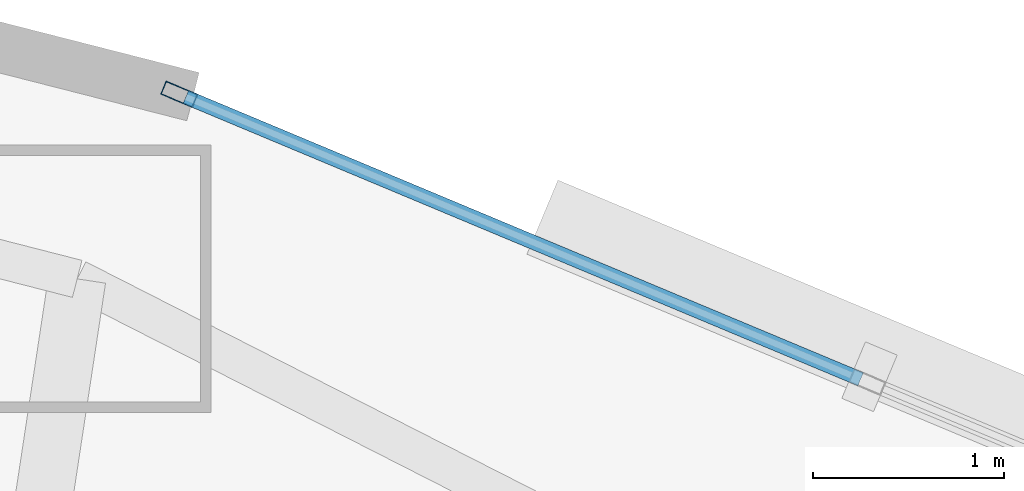
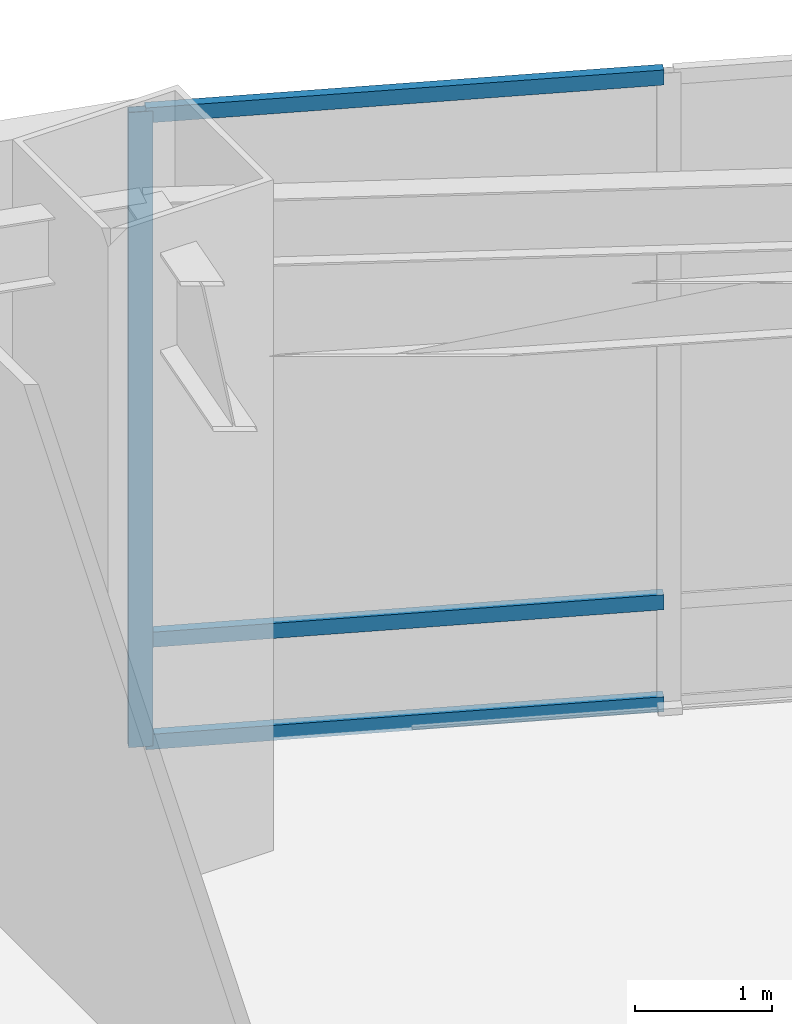
# One storey, part 12 of 19: 4 members, 1 element without a shape of its own.
"""IFC4 building model written with IfcOpenShell, lengths in metres."""

import ifcopenshell
import ifcopenshell.guid

model = None  # the IFC model being written
_history = None  # IfcOwnerHistory: only IFC2X3 demands one
_inside = {}  # id of a spatial element -> (the spatial element, [elements in it])
_under = {}  # id of a project, library or spatial element -> (it, [spatial elements below it])
_declared = {}  # id of a project -> (the project, [libraries it declares])
_typed = {}  # id of a type object -> (the type object, [elements of that type])
_made_of = {}  # id of a material, layer set ... -> (it, [elements and type objects made of it])


def new_model(schema):
    """Start an empty IFC model of exactly this schema.

    Asked for "IFC4X3", IfcOpenShell would pick the latest addendum, in which some entities
    have other attributes; the version numbers below select the first issue.
    IFC2X3 requires an IfcOwnerHistory on every rooted entity: one is made here for all.
    """
    global model, _history
    if schema == "IFC4X3":
        model = ifcopenshell.file(schema_version=(4, 3, 0, 0))
    else:
        model = ifcopenshell.file(schema=schema)
    _inside.clear()
    _under.clear()
    _declared.clear()
    _typed.clear()
    _made_of.clear()
    _history = None
    if model.schema == "IFC2X3":
        org = make("IfcOrganization", Name="unknown")
        user = make(
            "IfcPersonAndOrganization",
            ThePerson=make("IfcPerson", FamilyName="unknown"),
            TheOrganization=org,
        )
        app = make(
            "IfcApplication",
            ApplicationDeveloper=org,
            Version="unknown",
            ApplicationFullName="unknown",
            ApplicationIdentifier="unknown",
        )
        _history = make(
            "IfcOwnerHistory",
            OwningUser=user,
            OwningApplication=app,
            ChangeAction="ADDED",
            CreationDate=0,
        )
    return model


def make(cls, **values):
    """One entity of the class cls with the attributes given. An attribute that is None is left unset."""
    return model.create_entity(
        cls, **{name: value for name, value in values.items() if value is not None}
    )


def rooted(cls, **values):
    """An entity with a GlobalId (a new one), such as an element, a storey or a relation."""
    return make(cls, GlobalId=ifcopenshell.guid.new(), OwnerHistory=_history, **values)


def si_unit(unit_type, name, prefix=None):
    """IfcSIUnit, for example si_unit("LENGTHUNIT", "METRE", prefix="MILLI")."""
    return make("IfcSIUnit", UnitType=unit_type, Prefix=prefix, Name=name)


def assignment(units):
    """IfcUnitAssignment: the units of a project."""
    return None if units is None else make("IfcUnitAssignment", Units=units)


def point(xyz):
    """IfcCartesianPoint."""
    return None if xyz is None else make("IfcCartesianPoint", Coordinates=xyz)


def direction(xyz):
    """IfcDirection."""
    return None if xyz is None else make("IfcDirection", DirectionRatios=xyz)


def frame(location, z_axis=None, x_axis=None):
    """IfcAxis2Placement3D, a coordinate frame: its origin and axes. An axis left out is left unset."""
    return make(
        "IfcAxis2Placement3D",
        Location=point(location),
        Axis=direction(z_axis),
        RefDirection=direction(x_axis),
    )


def frame_2d(location, x_axis=None):
    """IfcAxis2Placement2D, a coordinate frame in the plane: its origin and x axis."""
    return make(
        "IfcAxis2Placement2D", Location=point(location), RefDirection=direction(x_axis)
    )


def origin():
    """The frame at (0, 0, 0) with its axes left unset."""
    return frame((0.0, 0.0, 0.0))


def origin_2d():
    """The frame at (0, 0) in the plane with its x axis left unset."""
    return frame_2d((0.0, 0.0))


def place(relative_to, where):
    """IfcLocalPlacement: puts the frame where relative to a parent placement (None: the world)."""
    return make(
        "IfcLocalPlacement", PlacementRelTo=relative_to, RelativePlacement=where
    )


def context(
    kind, dimensions, precision=None, world=None, true_north=None, identifier=None
):
    """IfcGeometricRepresentationContext, for example the 3D "Model" context."""
    return make(
        "IfcGeometricRepresentationContext",
        ContextIdentifier=identifier,
        ContextType=kind,
        CoordinateSpaceDimension=dimensions,
        Precision=precision,
        WorldCoordinateSystem=world,
        TrueNorth=true_north,
    )


def subcontext(parent, identifier, kind, view, scale=None):
    """IfcGeometricRepresentationSubContext, for example "Body" below "Model"."""
    return make(
        "IfcGeometricRepresentationSubContext",
        ContextIdentifier=identifier,
        ContextType=kind,
        ParentContext=parent,
        TargetScale=scale,
        TargetView=view,
    )


def project(units=None, contexts=None):
    """IfcProject with its units and contexts."""
    return rooted(
        "IfcProject",
        Name="project",
        RepresentationContexts=contexts,
        UnitsInContext=assignment(units),
    )


def spatial(cls, under=None, at=None, **own):
    """A site, building, storey or space (cls), placed at a placement, below another one or the project."""
    s = rooted(cls, ObjectPlacement=at, **own)
    if under is not None:
        _under.setdefault(under.id(), (under, []))[1].append(s)
    return s


def profile(cls, at=None, kind="AREA", **sizes):
    """A parametric profile (cls). Its sizes go by their IFC names, for example OverallWidth=200.0."""
    return make(cls, ProfileType=kind, Position=at, **sizes)


def hollow_rectangle(**sizes):
    """IfcRectangleHollowProfileDef."""
    return profile("IfcRectangleHollowProfileDef", **sizes)


def extrude(swept, where, along, depth):
    """IfcExtrudedAreaSolid: the profile swept, set in the frame where, extruded along a direction by depth."""
    return make(
        "IfcExtrudedAreaSolid",
        SweptArea=swept,
        Position=where,
        ExtrudedDirection=direction(along),
        Depth=depth,
    )


def shape(context_of_items, identifier, shape_type, items):
    """IfcShapeRepresentation: the items that make up one representation, for example the "Body"."""
    return make(
        "IfcShapeRepresentation",
        ContextOfItems=context_of_items,
        RepresentationIdentifier=identifier,
        RepresentationType=shape_type,
        Items=items,
    )


def material(Name=None, Category=None):
    """IfcMaterial."""
    return make("IfcMaterial", Name=Name, Category=Category)


def layer(
    of_material, thickness, ventilated=None, Name=None, Category=None, Priority=None
):
    """IfcMaterialLayer: one layer of a wall or slab, of a material (None: an air gap)."""
    return make(
        "IfcMaterialLayer",
        Material=of_material,
        LayerThickness=thickness,
        IsVentilated=ventilated,
        Name=Name,
        Category=Category,
        Priority=Priority,
    )


def layer_set(layers, Name=None):
    """IfcMaterialLayerSet."""
    return make("IfcMaterialLayerSet", MaterialLayers=layers, LayerSetName=Name)


def material_profile(
    of_material, cross_section, Name=None, Category=None, Priority=None
):
    """IfcMaterialProfile: a cross section and its material."""
    return make(
        "IfcMaterialProfile",
        Name=Name,
        Material=of_material,
        Profile=cross_section,
        Priority=Priority,
        Category=Category,
    )


def profile_set(profiles, Name=None, composite=None):
    """IfcMaterialProfileSet."""
    return make(
        "IfcMaterialProfileSet",
        Name=Name,
        MaterialProfiles=profiles,
        CompositeProfile=composite,
    )


def made_of(thing, what):
    """Note that an element or type object is made of a material, layer set ...; save() writes the relation."""
    if what is not None:
        _made_of.setdefault(what.id(), (what, []))[1].append(thing)
    return thing


def type_object(cls, material=None, **own):
    """A type object (cls), such as IfcWallType, which elements share."""
    return made_of(rooted(cls, **own), material)


def element(
    cls,
    number,
    at=None,
    inside=None,
    cuts=None,
    type_object=None,
    material=None,
    context=None,
    identifier="Body",
    shape_type=None,
    held_by="IfcProductDefinitionShape",
    body=None,
    shapes=None,
    **own,
):
    """One element of the class cls, such as IfcWall. Its Tag is "e" and its number.

    at: its placement. inside: the storey or other place that contains it. cuts: it is an
    opening in that element (IfcRelVoidsElement). A single representation is given by context,
    identifier, shape_type and body (its items); several are given by shapes. held_by: the class
    of the entity that holds the representations. save() writes the other relations.
    """
    e = rooted(cls, Tag="e%d" % number, ObjectPlacement=at, **own)
    if body is not None:
        shapes = [shape(context, identifier, shape_type, body)]
    if shapes is not None:
        e.Representation = make(held_by, Representations=shapes)
    if inside is not None:
        _inside.setdefault(inside.id(), (inside, []))[1].append(e)
    if cuts is not None:
        rooted(
            "IfcRelVoidsElement", RelatingBuildingElement=cuts, RelatedOpeningElement=e
        )
    if type_object is not None:
        _typed.setdefault(type_object.id(), (type_object, []))[1].append(e)
    return made_of(e, material)


def aggregate(whole, parts):
    """IfcRelAggregates: a whole, such as a stair, and the parts it consists of."""
    return rooted("IfcRelAggregates", RelatingObject=whole, RelatedObjects=parts)


def save(model, path):
    """Write the relations noted so far, then the file.

    IfcRelAggregates (storeys below a building ...), IfcRelContainedInSpatialStructure (elements
    in a storey), IfcRelDefinesByType, IfcRelAssociatesMaterial and IfcRelDeclares: one each for
    every whole, place, type object, material and project.
    """
    for whole, parts in _under.values():
        aggregate(whole, parts)
    for where, things in _inside.values():
        rooted(
            "IfcRelContainedInSpatialStructure",
            RelatedElements=things,
            RelatingStructure=where,
        )
    for kind, things in _typed.values():
        rooted("IfcRelDefinesByType", RelatedObjects=things, RelatingType=kind)
    for what, things in _made_of.values():
        rooted("IfcRelAssociatesMaterial", RelatedObjects=things, RelatingMaterial=what)
    for by, libraries in _declared.values():
        rooted("IfcRelDeclares", RelatingContext=by, RelatedDefinitions=libraries)
    model.write(path)


model = new_model("IFC4")

# Units and contexts
model_context = context("Model", 3, precision=1e-05, world=origin(), true_north=direction((0.0, 1.0)))
body_context = subcontext(model_context, "Body", "Model", "MODEL_VIEW")
ifc_project = project(units=[si_unit("LENGTHUNIT", "METRE"), si_unit("AREAUNIT", "SQUARE_METRE"), si_unit("VOLUMEUNIT", "CUBIC_METRE"), si_unit("PLANEANGLEUNIT", "RADIAN"), si_unit("MASSUNIT", "GRAM", prefix="KILO")], contexts=[model_context])

# Site, building, storey
site_placement = place(None, origin())
site = spatial("IfcSite", under=ifc_project, at=site_placement, CompositionType="ELEMENT")
building_placement = place(site_placement, origin())
building = spatial("IfcBuilding", under=site, at=building_placement, Name="Menara Vayukalpa", CompositionType="ELEMENT")
storey_placement = place(building_placement, frame((0.0, 0.0, 12.0)))
storey = spatial("IfcBuildingStorey", under=building, at=storey_placement, Name="L02", CompositionType="ELEMENT", Elevation=12.0)

# Curtain wall, members
ifc_material_1 = material(Name="Anodised Terracotta Aluminium Alloy 6063-T6", Category="masonry")
ifc_layer = layer(ifc_material_1, 0.179931640625)
ifc_layer_set = layer_set([ifc_layer], Name="Anodised Terracotta Aluminium Alloy 6063-T6")
curtain_wall_type = type_object("IfcCurtainWallType", Name="CW-CW1", PredefinedType="USERDEFINED", material=ifc_layer_set)
curtain_wall_placement = place(storey_placement, origin())
curtain_wall = element("IfcCurtainWall", 1, at=curtain_wall_placement, inside=storey, type_object=curtain_wall_type, Name="L02 Podium Unitised Ribbon Curtain Wall CW1 05", ObjectType="UNITISED", PredefinedType="USERDEFINED")
ifc_material_2 = material(Name="Anodised Terracotta Aluminium Alloy 6063-T6", Category="masonry")
ifc_material_profile_1 = material_profile(ifc_material_2, hollow_rectangle(XDim=0.074951171875, YDim=0.179931640625, WallThickness=0.00390625, at=origin_2d()), Name="ALU 75x180x4")
ifc_profile_set_1 = profile_set([ifc_material_profile_1], Name="Anodised Terracotta Aluminium Alloy 6063-T6")
member_type_1 = type_object("IfcMemberType", Name="CWM-CW1", PredefinedType="MULLION", material=ifc_profile_set_1)
member_1_placement = place(storey_placement, frame((24.00927734375, 37.16552734375, 0.0), z_axis=(0.0, 0.0, 1.0), x_axis=(-0.385890613077, -0.922544543499, 0.0)))
member_1 = element("IfcMember", 2, at=member_1_placement, type_object=member_type_1, Name="CW1 mullion 3", PredefinedType="MULLION", context=body_context, shape_type="SweptSolid", body=[
    extrude(hollow_rectangle(XDim=0.074951171875, YDim=0.179931640625, WallThickness=0.00390625, at=origin_2d()), origin(), (0.0, 0.0, 1.0), 5.679931640625),
])
ifc_material_3 = material(Name="Anodised Terracotta Aluminium Alloy 6063-T6", Category="masonry")
ifc_material_profile_2 = material_profile(ifc_material_3, hollow_rectangle(XDim=0.074951171875, YDim=0.135009765625, WallThickness=0.00390625, at=origin_2d()), Name="ALU 75x135x4")
ifc_profile_set_2 = profile_set([ifc_material_profile_2], Name="Anodised Terracotta Aluminium Alloy 6063-T6")
member_type_2 = type_object("IfcMemberType", Name="CWT-CW1", PredefinedType="USERDEFINED", material=ifc_profile_set_2)
member_2_placement = place(storey_placement, frame((27.573486328125, 35.6748046875, 0.03759765625), z_axis=(-0.922549314237, 0.385879207525, 0.0), x_axis=(-0.385879207525, -0.922549314237, 0.0)))
member_2 = element("IfcMember", 3, at=member_2_placement, type_object=member_type_2, Name="CW1 transom 2.1", ObjectType="TRANSOM", PredefinedType="USERDEFINED", context=body_context, shape_type="SweptSolid", body=[
    extrude(hollow_rectangle(XDim=0.074951171875, YDim=0.135009765625, WallThickness=0.00390625, at=origin_2d()), origin(), (0.0, 0.0, 1.0), 3.825927734375),
])
member_3_placement = place(storey_placement, frame((27.573486328125, 35.6748046875, 0.949951171875), z_axis=(-0.922549314237, 0.385879207525, 0.0), x_axis=(-0.385879207525, -0.922549314237, 0.0)))
member_3 = element("IfcMember", 4, at=member_3_placement, type_object=member_type_2, Name="CW1 transom 2.2", ObjectType="TRANSOM", PredefinedType="USERDEFINED", context=body_context, shape_type="SweptSolid", body=[
    extrude(hollow_rectangle(XDim=0.074951171875, YDim=0.135009765625, WallThickness=0.00390625, at=origin_2d()), origin(), (0.0, 0.0, 1.0), 3.825927734375),
])
member_4_placement = place(storey_placement, frame((27.573486328125, 35.6748046875, 5.642578125), z_axis=(-0.922549314237, 0.385879207525, 0.0), x_axis=(-0.385879207525, -0.922549314237, 0.0)))
member_4 = element("IfcMember", 5, at=member_4_placement, type_object=member_type_2, Name="CW1 transom 2.3", ObjectType="TRANSOM", PredefinedType="USERDEFINED", context=body_context, shape_type="SweptSolid", body=[
    extrude(hollow_rectangle(XDim=0.074951171875, YDim=0.135009765625, WallThickness=0.00390625, at=origin_2d()), origin(), (0.0, 0.0, 1.0), 3.825927734375),
])
aggregate(curtain_wall, [member_1, member_2, member_3, member_4])

save(model, "model.ifc")
